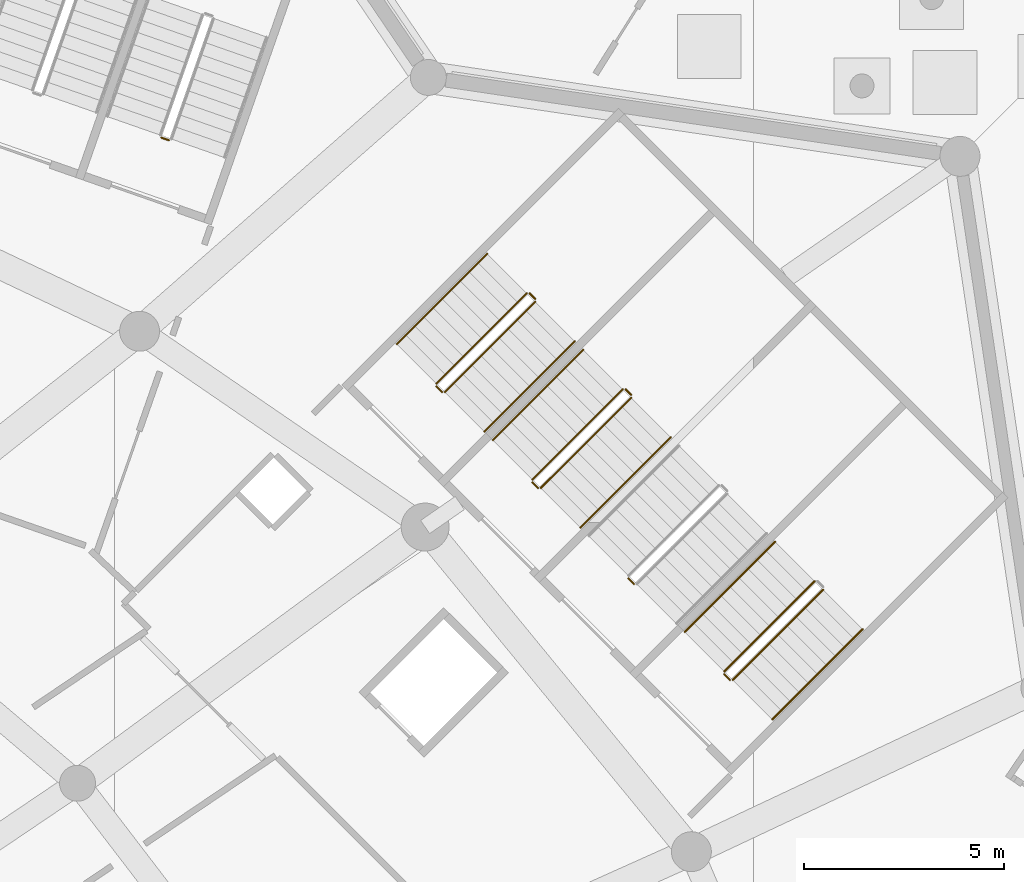
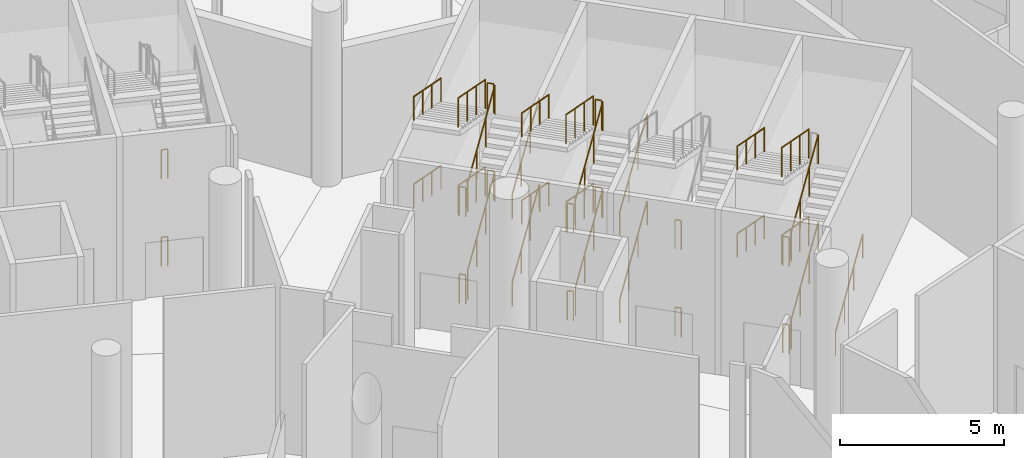
# One storey, part 252 of 255: 37 railings.
"""IFC4 building model written with IfcOpenShell, lengths in metres."""

from ifc_helpers import new_model, si_unit, direction, frame, origin, origin_2d, place, context, subcontext, project, spatial, circle, extrude, material, type_object, element, save


model = new_model("IFC4")

# Units and contexts
model_context = context("Model", 3, precision=1e-05, world=origin(), true_north=direction((0.0, 1.0)))
body_context = subcontext(model_context, "Body", "Model", "MODEL_VIEW")
ifc_project = project(units=[si_unit("LENGTHUNIT", "METRE"), si_unit("AREAUNIT", "SQUARE_METRE"), si_unit("VOLUMEUNIT", "CUBIC_METRE"), si_unit("PLANEANGLEUNIT", "RADIAN"), si_unit("MASSUNIT", "GRAM", prefix="KILO")], contexts=[model_context])

# Site, building, storey
site_placement = place(None, origin())
site = spatial("IfcSite", under=ifc_project, at=site_placement, CompositionType="ELEMENT")
building_placement = place(site_placement, origin())
building = spatial("IfcBuilding", under=site, at=building_placement, Name="Meseta Stadium", CompositionType="ELEMENT")
storey_placement = place(building_placement, origin())
storey = spatial("IfcBuildingStorey", under=building, at=storey_placement, Name="L00", CompositionType="ELEMENT", Elevation=0.0)

# Railings
ifc_material_1 = material(Name="Steel S355", Category="steel")
railing_type_1 = type_object("IfcRailingType", Name="Stair guard 1100", PredefinedType="GUARDRAIL", material=ifc_material_1)
railing_1_placement = place(storey_placement, frame((79.4814453125, 76.056884765625, 0.147705078125)))
element("IfcRailing", 1, at=railing_1_placement, inside=storey, type_object=railing_type_1, Name="ST25 L00 guard 1", PredefinedType="GUARDRAIL", context=body_context, shape_type="SweptSolid", body=[
    extrude(circle(Radius=0.02392578125, at=origin_2d()), frame((0.0, 0.0, 1.076171875), z_axis=(0.641993537882, 0.641993537882, 0.419152233246), x_axis=(-0.707106781187, 0.707106781187, 0.0)), (0.0, 0.0, 1.0), 3.5244140625),
    extrude(circle(Radius=0.02099609375, at=origin_2d()), origin(), (0.0, 0.0, 1.0), 1.052001953125),
    extrude(circle(Radius=0.02099609375, at=origin_2d()), frame((0.754150390625, 0.754150390625, 0.492431640625)), (0.0, 0.0, 1.0), 1.052001953125),
    extrude(circle(Radius=0.02099609375, at=origin_2d()), frame((1.508544921875, 1.508544921875, 0.98486328125)), (0.0, 0.0, 1.0), 1.052001953125),
    extrude(circle(Radius=0.02099609375, at=origin_2d()), frame((2.2626953125, 2.2626953125, 1.477294921875)), (0.0, 0.0, 1.0), 1.052001953125),
])
railing_2_placement = place(storey_placement, frame((81.5322265625, 78.53173828125, 1.772705078125)))
element("IfcRailing", 2, at=railing_2_placement, inside=storey, type_object=railing_type_1, Name="ST25 L00 guard 3", PredefinedType="GUARDRAIL", context=body_context, shape_type="SweptSolid", body=[
    extrude(circle(Radius=0.02392578125, at=origin_2d()), frame((0.0, 0.0, 1.076171875), z_axis=(-0.642034255088, -0.641964988257, 0.419133593434), x_axis=(0.707068634461, -0.707144925854, 0.0)), (0.0, 0.0, 1.0), 3.524658203125),
    extrude(circle(Radius=0.02099609375, at=origin_2d()), origin(), (0.0, 0.0, 1.0), 1.052001953125),
    extrude(circle(Radius=0.02099609375, at=origin_2d()), frame((-0.75439453125, -0.754150390625, 0.492431640625)), (0.0, 0.0, 1.0), 1.052001953125),
    extrude(circle(Radius=0.02099609375, at=origin_2d()), frame((-1.508544921875, -1.508544921875, 0.98486328125)), (0.0, 0.0, 1.0), 1.052001953125),
    extrude(circle(Radius=0.02099609375, at=origin_2d()), frame((-2.262939453125, -2.2626953125, 1.477294921875)), (0.0, 0.0, 1.0), 1.052001953125),
])
railing_3_placement = place(storey_placement, frame((79.410888671875, 76.056884765625, 3.25)))
element("IfcRailing", 3, at=railing_3_placement, inside=storey, type_object=railing_type_1, Name="ST25 L00 guard 4", PredefinedType="GUARDRAIL", context=body_context, shape_type="SweptSolid", body=[
    extrude(circle(Radius=0.02392578125, at=origin_2d()), frame((0.0, 0.0, 1.076171875), z_axis=(-0.707716618519, 0.706496417452, 0.0), x_axis=(-0.706496417452, -0.707716618519, 0.0)), (0.0, 0.0, 1.0), 0.2001953125),
    extrude(circle(Radius=0.02099609375, at=origin_2d()), origin(), (0.0, 0.0, 1.0), 1.052001953125),
    extrude(circle(Radius=0.02099609375, at=origin_2d()), frame((-0.1416015625, 0.141357421875, 0.0)), (0.0, 0.0, 1.0), 1.052001953125),
])
railing_4_placement = place(storey_placement, frame((79.4814453125, 76.056884765625, 3.397705078125)))
element("IfcRailing", 4, at=railing_4_placement, inside=storey, type_object=railing_type_1, Name="ST25 L00 guard 5", PredefinedType="GUARDRAIL", context=body_context, shape_type="SweptSolid", body=[
    extrude(circle(Radius=0.02392578125, at=origin_2d()), frame((0.0, 0.0, 1.076171875), z_axis=(0.641993537882, 0.641993537882, 0.419152233246), x_axis=(-0.707106781187, 0.707106781187, 0.0)), (0.0, 0.0, 1.0), 3.5244140625),
    extrude(circle(Radius=0.02099609375, at=origin_2d()), origin(), (0.0, 0.0, 1.0), 1.052001953125),
    extrude(circle(Radius=0.02099609375, at=origin_2d()), frame((0.754150390625, 0.754150390625, 0.492431640625)), (0.0, 0.0, 1.0), 1.052001953125),
    extrude(circle(Radius=0.02099609375, at=origin_2d()), frame((1.508544921875, 1.508544921875, 0.98486328125)), (0.0, 0.0, 1.0), 1.052001953125),
    extrude(circle(Radius=0.02099609375, at=origin_2d()), frame((2.2626953125, 2.2626953125, 1.477294921875)), (0.0, 0.0, 1.0), 1.052001953125),
])
railing_5_placement = place(storey_placement, frame((81.5322265625, 78.53173828125, 5.022705078125)))
element("IfcRailing", 5, at=railing_5_placement, inside=storey, type_object=railing_type_1, Name="ST25 L00 guard 7", PredefinedType="GUARDRAIL", context=body_context, shape_type="SweptSolid", body=[
    extrude(circle(Radius=0.02392578125, at=origin_2d()), frame((0.0, 0.0, 1.076171875), z_axis=(-0.642034255088, -0.641964988257, 0.419133593434), x_axis=(0.707068634461, -0.707144925854, 0.0)), (0.0, 0.0, 1.0), 3.524658203125),
    extrude(circle(Radius=0.02099609375, at=origin_2d()), origin(), (0.0, 0.0, 1.0), 1.052001953125),
    extrude(circle(Radius=0.02099609375, at=origin_2d()), frame((-0.75439453125, -0.754150390625, 0.492431640625)), (0.0, 0.0, 1.0), 1.052001953125),
    extrude(circle(Radius=0.02099609375, at=origin_2d()), frame((-1.508544921875, -1.508544921875, 0.98486328125)), (0.0, 0.0, 1.0), 1.052001953125),
    extrude(circle(Radius=0.02099609375, at=origin_2d()), frame((-2.262939453125, -2.2626953125, 1.477294921875)), (0.0, 0.0, 1.0), 1.052001953125),
])
railing_6_placement = place(storey_placement, frame((79.410888671875, 76.056884765625, 0.0)))
element("IfcRailing", 6, at=railing_6_placement, inside=storey, type_object=railing_type_1, Name="ST25 L00 guard 8", PredefinedType="GUARDRAIL", context=body_context, shape_type="SweptSolid", body=[
    extrude(circle(Radius=0.02392578125, at=origin_2d()), frame((0.0, 0.0, 1.076171875), z_axis=(-0.707716618519, 0.706496417452, 0.0), x_axis=(-0.706496417452, -0.707716618519, 0.0)), (0.0, 0.0, 1.0), 0.2001953125),
    extrude(circle(Radius=0.02099609375, at=origin_2d()), origin(), (0.0, 0.0, 1.0), 1.052001953125),
    extrude(circle(Radius=0.02099609375, at=origin_2d()), frame((-0.1416015625, 0.141357421875, 0.0)), (0.0, 0.0, 1.0), 1.052001953125),
])
for number, where, name in (
    (7, (77.006591796875, 78.4609375, 3.25), "ST26 L00 guard 4"),
    (8, (77.006591796875, 78.4609375, 0.0), "ST26 L00 guard 8"),
):
    element("IfcRailing", number, at=place(storey_placement, frame(where)), inside=storey, type_object=railing_type_1, Name=name, PredefinedType="GUARDRAIL", context=body_context, shape_type="SweptSolid", body=[
        extrude(circle(Radius=0.02392578125, at=origin_2d()), frame((0.0, 0.0, 1.076171875), z_axis=(-0.706496417452, 0.707716618519, 0.0), x_axis=(-0.707716618519, -0.706496417452, 0.0)), (0.0, 0.0, 1.0), 0.2001953125),
        extrude(circle(Radius=0.02099609375, at=origin_2d()), origin(), (0.0, 0.0, 1.0), 1.052001953125),
        extrude(circle(Radius=0.02099609375, at=origin_2d()), frame((-0.141357421875, 0.1416015625, 0.0)), (0.0, 0.0, 1.0), 1.052001953125),
    ])
railing_7_placement = place(storey_placement, frame((74.673095703125, 80.865234375, 0.147705078125)))
element("IfcRailing", 9, at=railing_7_placement, inside=storey, type_object=railing_type_1, Name="ST27 L00 guard 1", PredefinedType="GUARDRAIL", context=body_context, shape_type="SweptSolid", body=[
    extrude(circle(Radius=0.02392578125, at=origin_2d()), frame((0.0, 0.0, 1.076171875), z_axis=(0.642034255088, 0.641964988257, 0.419133593434), x_axis=(-0.707068634461, 0.707144925854, 0.0)), (0.0, 0.0, 1.0), 3.524658203125),
    extrude(circle(Radius=0.02099609375, at=origin_2d()), origin(), (0.0, 0.0, 1.0), 1.052001953125),
    extrude(circle(Radius=0.02099609375, at=origin_2d()), frame((0.75439453125, 0.754150390625, 0.492431640625)), (0.0, 0.0, 1.0), 1.052001953125),
    extrude(circle(Radius=0.02099609375, at=origin_2d()), frame((1.508544921875, 1.508544921875, 0.98486328125)), (0.0, 0.0, 1.0), 1.052001953125),
    extrude(circle(Radius=0.02099609375, at=origin_2d()), frame((2.262939453125, 2.2626953125, 1.477294921875)), (0.0, 0.0, 1.0), 1.052001953125),
])
railing_8_placement = place(storey_placement, frame((76.93603515625, 83.19873046875, 1.625)))
element("IfcRailing", 10, at=railing_8_placement, inside=storey, type_object=railing_type_1, Name="ST27 L00 guard 2", PredefinedType="GUARDRAIL", context=body_context, shape_type="SweptSolid", body=[
    extrude(circle(Radius=0.02392578125, at=origin_2d()), frame((0.0, 0.0, 1.076171875), z_axis=(-0.707716618519, 0.706496417452, 0.0), x_axis=(-0.706496417452, -0.707716618519, 0.0)), (0.0, 0.0, 1.0), 0.2001953125),
    extrude(circle(Radius=0.02099609375, at=origin_2d()), origin(), (0.0, 0.0, 1.0), 1.052001953125),
    extrude(circle(Radius=0.02099609375, at=origin_2d()), frame((-0.1416015625, 0.141357421875, 0.0)), (0.0, 0.0, 1.0), 1.052001953125),
])
railing_9_placement = place(storey_placement, frame((76.723876953125, 83.340087890625, 1.772705078125)))
element("IfcRailing", 11, at=railing_9_placement, inside=storey, type_object=railing_type_1, Name="ST27 L00 guard 3", PredefinedType="GUARDRAIL", context=body_context, shape_type="SweptSolid", body=[
    extrude(circle(Radius=0.02392578125, at=origin_2d()), frame((0.0, 0.0, 1.076171875), z_axis=(-0.642034255088, -0.641964988257, 0.419133593434), x_axis=(0.707068634461, -0.707144925854, 0.0)), (0.0, 0.0, 1.0), 3.524658203125),
    extrude(circle(Radius=0.02099609375, at=origin_2d()), origin(), (0.0, 0.0, 1.0), 1.052001953125),
    extrude(circle(Radius=0.02099609375, at=origin_2d()), frame((-0.75439453125, -0.754150390625, 0.492431640625)), (0.0, 0.0, 1.0), 1.052001953125),
    extrude(circle(Radius=0.02099609375, at=origin_2d()), frame((-1.508544921875, -1.508544921875, 0.98486328125)), (0.0, 0.0, 1.0), 1.052001953125),
    extrude(circle(Radius=0.02099609375, at=origin_2d()), frame((-2.262939453125, -2.2626953125, 1.477294921875)), (0.0, 0.0, 1.0), 1.052001953125),
])
railing_10_placement = place(storey_placement, frame((74.6025390625, 80.865234375, 3.25)))
element("IfcRailing", 12, at=railing_10_placement, inside=storey, type_object=railing_type_1, Name="ST27 L00 guard 4", PredefinedType="GUARDRAIL", context=body_context, shape_type="SweptSolid", body=[
    extrude(circle(Radius=0.02392578125, at=origin_2d()), frame((0.0, 0.0, 1.076171875), z_axis=(-0.707716618519, 0.706496417452, 0.0), x_axis=(-0.706496417452, -0.707716618519, 0.0)), (0.0, 0.0, 1.0), 0.2001953125),
    extrude(circle(Radius=0.02099609375, at=origin_2d()), origin(), (0.0, 0.0, 1.0), 1.052001953125),
    extrude(circle(Radius=0.02099609375, at=origin_2d()), frame((-0.1416015625, 0.141357421875, 0.0)), (0.0, 0.0, 1.0), 1.052001953125),
])
railing_11_placement = place(storey_placement, frame((74.673095703125, 80.865234375, 3.397705078125)))
element("IfcRailing", 13, at=railing_11_placement, inside=storey, type_object=railing_type_1, Name="ST27 L00 guard 5", PredefinedType="GUARDRAIL", context=body_context, shape_type="SweptSolid", body=[
    extrude(circle(Radius=0.02392578125, at=origin_2d()), frame((0.0, 0.0, 1.076171875), z_axis=(0.642034255088, 0.641964988257, 0.419133593434), x_axis=(-0.707068634461, 0.707144925854, 0.0)), (0.0, 0.0, 1.0), 3.524658203125),
    extrude(circle(Radius=0.02099609375, at=origin_2d()), origin(), (0.0, 0.0, 1.0), 1.052001953125),
    extrude(circle(Radius=0.02099609375, at=origin_2d()), frame((0.75439453125, 0.754150390625, 0.492431640625)), (0.0, 0.0, 1.0), 1.052001953125),
    extrude(circle(Radius=0.02099609375, at=origin_2d()), frame((1.508544921875, 1.508544921875, 0.98486328125)), (0.0, 0.0, 1.0), 1.052001953125),
    extrude(circle(Radius=0.02099609375, at=origin_2d()), frame((2.262939453125, 2.2626953125, 1.477294921875)), (0.0, 0.0, 1.0), 1.052001953125),
])
railing_12_placement = place(storey_placement, frame((76.93603515625, 83.19873046875, 4.875)))
element("IfcRailing", 14, at=railing_12_placement, inside=storey, type_object=railing_type_1, Name="ST27 L00 guard 6", PredefinedType="GUARDRAIL", context=body_context, shape_type="SweptSolid", body=[
    extrude(circle(Radius=0.02392578125, at=origin_2d()), frame((0.0, 0.0, 1.076171875), z_axis=(-0.707716618519, 0.706496417452, 0.0), x_axis=(-0.706496417452, -0.707716618519, 0.0)), (0.0, 0.0, 1.0), 0.2001953125),
    extrude(circle(Radius=0.02099609375, at=origin_2d()), origin(), (0.0, 0.0, 1.0), 1.052001953125),
    extrude(circle(Radius=0.02099609375, at=origin_2d()), frame((-0.1416015625, 0.141357421875, 0.0)), (0.0, 0.0, 1.0), 1.052001953125),
])
railing_13_placement = place(storey_placement, frame((76.723876953125, 83.340087890625, 5.022705078125)))
element("IfcRailing", 15, at=railing_13_placement, inside=storey, type_object=railing_type_1, Name="ST27 L00 guard 7", PredefinedType="GUARDRAIL", context=body_context, shape_type="SweptSolid", body=[
    extrude(circle(Radius=0.02392578125, at=origin_2d()), frame((0.0, 0.0, 1.076171875), z_axis=(-0.642034255088, -0.641964988257, 0.419133593434), x_axis=(0.707068634461, -0.707144925854, 0.0)), (0.0, 0.0, 1.0), 3.524658203125),
    extrude(circle(Radius=0.02099609375, at=origin_2d()), origin(), (0.0, 0.0, 1.0), 1.052001953125),
    extrude(circle(Radius=0.02099609375, at=origin_2d()), frame((-0.75439453125, -0.754150390625, 0.492431640625)), (0.0, 0.0, 1.0), 1.052001953125),
    extrude(circle(Radius=0.02099609375, at=origin_2d()), frame((-1.508544921875, -1.508544921875, 0.98486328125)), (0.0, 0.0, 1.0), 1.052001953125),
    extrude(circle(Radius=0.02099609375, at=origin_2d()), frame((-2.262939453125, -2.2626953125, 1.477294921875)), (0.0, 0.0, 1.0), 1.052001953125),
])
railing_14_placement = place(storey_placement, frame((74.6025390625, 80.865234375, 0.0)))
element("IfcRailing", 16, at=railing_14_placement, inside=storey, type_object=railing_type_1, Name="ST27 L00 guard 8", PredefinedType="GUARDRAIL", context=body_context, shape_type="SweptSolid", body=[
    extrude(circle(Radius=0.02392578125, at=origin_2d()), frame((0.0, 0.0, 1.076171875), z_axis=(-0.707716618519, 0.706496417452, 0.0), x_axis=(-0.706496417452, -0.707716618519, 0.0)), (0.0, 0.0, 1.0), 0.2001953125),
    extrude(circle(Radius=0.02099609375, at=origin_2d()), origin(), (0.0, 0.0, 1.0), 1.052001953125),
    extrude(circle(Radius=0.02099609375, at=origin_2d()), frame((-0.1416015625, 0.141357421875, 0.0)), (0.0, 0.0, 1.0), 1.052001953125),
])
railing_15_placement = place(storey_placement, frame((72.26904296875, 83.269287109375, 0.147705078125)))
element("IfcRailing", 17, at=railing_15_placement, inside=storey, type_object=railing_type_1, Name="ST28 L00 guard 1", PredefinedType="GUARDRAIL", context=body_context, shape_type="SweptSolid", body=[
    extrude(circle(Radius=0.02392578125, at=origin_2d()), frame((0.0, 0.0, 1.076171875), z_axis=(0.641964988257, 0.642034255088, 0.419133593434), x_axis=(-0.707144925854, 0.707068634461, 0.0)), (0.0, 0.0, 1.0), 3.524658203125),
    extrude(circle(Radius=0.02099609375, at=origin_2d()), origin(), (0.0, 0.0, 1.0), 1.052001953125),
    extrude(circle(Radius=0.02099609375, at=origin_2d()), frame((0.754150390625, 0.75439453125, 0.492431640625)), (0.0, 0.0, 1.0), 1.052001953125),
    extrude(circle(Radius=0.02099609375, at=origin_2d()), frame((1.508544921875, 1.508544921875, 0.98486328125)), (0.0, 0.0, 1.0), 1.052001953125),
    extrude(circle(Radius=0.02099609375, at=origin_2d()), frame((2.2626953125, 2.262939453125, 1.477294921875)), (0.0, 0.0, 1.0), 1.052001953125),
])
railing_16_placement = place(storey_placement, frame((74.53173828125, 85.602783203125, 1.625)))
element("IfcRailing", 18, at=railing_16_placement, inside=storey, type_object=railing_type_1, Name="ST28 L00 guard 2", PredefinedType="GUARDRAIL", context=body_context, shape_type="SweptSolid", body=[
    extrude(circle(Radius=0.02392578125, at=origin_2d()), frame((0.0, 0.0, 1.076171875), z_axis=(-0.707106781187, 0.707106781187, 0.0), x_axis=(-0.707106781187, -0.707106781187, 0.0)), (0.0, 0.0, 1.0), 0.199951171875),
    extrude(circle(Radius=0.02099609375, at=origin_2d()), origin(), (0.0, 0.0, 1.0), 1.052001953125),
    extrude(circle(Radius=0.02099609375, at=origin_2d()), frame((-0.141357421875, 0.141357421875, 0.0)), (0.0, 0.0, 1.0), 1.052001953125),
])
railing_17_placement = place(storey_placement, frame((74.319580078125, 85.744140625, 1.772705078125)))
element("IfcRailing", 19, at=railing_17_placement, inside=storey, type_object=railing_type_1, Name="ST28 L00 guard 3", PredefinedType="GUARDRAIL", context=body_context, shape_type="SweptSolid", body=[
    extrude(circle(Radius=0.02392578125, at=origin_2d()), frame((0.0, 0.0, 1.076171875), z_axis=(-0.641993537882, -0.641993537882, 0.419152233246), x_axis=(0.707106781187, -0.707106781187, 0.0)), (0.0, 0.0, 1.0), 3.5244140625),
    extrude(circle(Radius=0.02099609375, at=origin_2d()), origin(), (0.0, 0.0, 1.0), 1.052001953125),
    extrude(circle(Radius=0.02099609375, at=origin_2d()), frame((-0.754150390625, -0.754150390625, 0.492431640625)), (0.0, 0.0, 1.0), 1.052001953125),
    extrude(circle(Radius=0.02099609375, at=origin_2d()), frame((-1.508544921875, -1.508544921875, 0.98486328125)), (0.0, 0.0, 1.0), 1.052001953125),
    extrude(circle(Radius=0.02099609375, at=origin_2d()), frame((-2.2626953125, -2.2626953125, 1.477294921875)), (0.0, 0.0, 1.0), 1.052001953125),
])
railing_18_placement = place(storey_placement, frame((72.1982421875, 83.269287109375, 3.25)))
element("IfcRailing", 20, at=railing_18_placement, inside=storey, type_object=railing_type_1, Name="ST28 L00 guard 4", PredefinedType="GUARDRAIL", context=body_context, shape_type="SweptSolid", body=[
    extrude(circle(Radius=0.02392578125, at=origin_2d()), frame((0.0, 0.0, 1.076171875), z_axis=(-0.706496417452, 0.707716618519, 0.0), x_axis=(-0.707716618519, -0.706496417452, 0.0)), (0.0, 0.0, 1.0), 0.2001953125),
    extrude(circle(Radius=0.02099609375, at=origin_2d()), origin(), (0.0, 0.0, 1.0), 1.052001953125),
    extrude(circle(Radius=0.02099609375, at=origin_2d()), frame((-0.141357421875, 0.1416015625, 0.0)), (0.0, 0.0, 1.0), 1.052001953125),
])
railing_19_placement = place(storey_placement, frame((72.26904296875, 83.269287109375, 3.397705078125)))
element("IfcRailing", 21, at=railing_19_placement, inside=storey, type_object=railing_type_1, Name="ST28 L00 guard 5", PredefinedType="GUARDRAIL", context=body_context, shape_type="SweptSolid", body=[
    extrude(circle(Radius=0.02392578125, at=origin_2d()), frame((0.0, 0.0, 1.076171875), z_axis=(0.641964988257, 0.642034255088, 0.419133593434), x_axis=(-0.707144925854, 0.707068634461, 0.0)), (0.0, 0.0, 1.0), 3.524658203125),
    extrude(circle(Radius=0.02099609375, at=origin_2d()), origin(), (0.0, 0.0, 1.0), 1.052001953125),
    extrude(circle(Radius=0.02099609375, at=origin_2d()), frame((0.754150390625, 0.75439453125, 0.492431640625)), (0.0, 0.0, 1.0), 1.052001953125),
    extrude(circle(Radius=0.02099609375, at=origin_2d()), frame((1.508544921875, 1.508544921875, 0.98486328125)), (0.0, 0.0, 1.0), 1.052001953125),
    extrude(circle(Radius=0.02099609375, at=origin_2d()), frame((2.2626953125, 2.262939453125, 1.477294921875)), (0.0, 0.0, 1.0), 1.052001953125),
])
railing_20_placement = place(storey_placement, frame((74.53173828125, 85.602783203125, 4.875)))
element("IfcRailing", 22, at=railing_20_placement, inside=storey, type_object=railing_type_1, Name="ST28 L00 guard 6", PredefinedType="GUARDRAIL", context=body_context, shape_type="SweptSolid", body=[
    extrude(circle(Radius=0.02392578125, at=origin_2d()), frame((0.0, 0.0, 1.076171875), z_axis=(-0.707106781187, 0.707106781187, 0.0), x_axis=(-0.707106781187, -0.707106781187, 0.0)), (0.0, 0.0, 1.0), 0.199951171875),
    extrude(circle(Radius=0.02099609375, at=origin_2d()), origin(), (0.0, 0.0, 1.0), 1.052001953125),
    extrude(circle(Radius=0.02099609375, at=origin_2d()), frame((-0.141357421875, 0.141357421875, 0.0)), (0.0, 0.0, 1.0), 1.052001953125),
])
railing_21_placement = place(storey_placement, frame((74.319580078125, 85.744140625, 5.022705078125)))
element("IfcRailing", 23, at=railing_21_placement, inside=storey, type_object=railing_type_1, Name="ST28 L00 guard 7", PredefinedType="GUARDRAIL", context=body_context, shape_type="SweptSolid", body=[
    extrude(circle(Radius=0.02392578125, at=origin_2d()), frame((0.0, 0.0, 1.076171875), z_axis=(-0.641993537882, -0.641993537882, 0.419152233246), x_axis=(0.707106781187, -0.707106781187, 0.0)), (0.0, 0.0, 1.0), 3.5244140625),
    extrude(circle(Radius=0.02099609375, at=origin_2d()), origin(), (0.0, 0.0, 1.0), 1.052001953125),
    extrude(circle(Radius=0.02099609375, at=origin_2d()), frame((-0.754150390625, -0.754150390625, 0.492431640625)), (0.0, 0.0, 1.0), 1.052001953125),
    extrude(circle(Radius=0.02099609375, at=origin_2d()), frame((-1.508544921875, -1.508544921875, 0.98486328125)), (0.0, 0.0, 1.0), 1.052001953125),
    extrude(circle(Radius=0.02099609375, at=origin_2d()), frame((-2.2626953125, -2.2626953125, 1.477294921875)), (0.0, 0.0, 1.0), 1.052001953125),
])
railing_22_placement = place(storey_placement, frame((72.1982421875, 83.269287109375, 0.0)))
element("IfcRailing", 24, at=railing_22_placement, inside=storey, type_object=railing_type_1, Name="ST28 L00 guard 8", PredefinedType="GUARDRAIL", context=body_context, shape_type="SweptSolid", body=[
    extrude(circle(Radius=0.02392578125, at=origin_2d()), frame((0.0, 0.0, 1.076171875), z_axis=(-0.706496417452, 0.707716618519, 0.0), x_axis=(-0.707716618519, -0.706496417452, 0.0)), (0.0, 0.0, 1.0), 0.2001953125),
    extrude(circle(Radius=0.02099609375, at=origin_2d()), origin(), (0.0, 0.0, 1.0), 1.052001953125),
    extrude(circle(Radius=0.02099609375, at=origin_2d()), frame((-0.141357421875, 0.1416015625, 0.0)), (0.0, 0.0, 1.0), 1.052001953125),
])
for number, where, name in (
    (25, (65.35791015625, 89.577392578125, 3.25), "ST29 L00 guard 4"),
    (26, (65.35791015625, 89.577392578125, 0.0), "ST29 L00 guard 8"),
):
    element("IfcRailing", number, at=place(storey_placement, frame(where)), inside=storey, type_object=railing_type_1, Name=name, PredefinedType="GUARDRAIL", context=body_context, shape_type="SweptSolid", body=[
        extrude(circle(Radius=0.02392578125, at=origin_2d()), frame((0.0, 0.0, 1.076171875), z_axis=(-0.943686935281, 0.330839792317, 0.0), x_axis=(-0.330839792317, -0.943686935281, 0.0)), (0.0, 0.0, 1.0), 0.199951171875),
        extrude(circle(Radius=0.02099609375, at=origin_2d()), origin(), (0.0, 0.0, 1.0), 1.052001953125),
        extrude(circle(Radius=0.02099609375, at=origin_2d()), frame((-0.188720703125, 0.066162109375, 0.0)), (0.0, 0.0, 1.0), 1.052001953125),
    ])
ifc_material_2 = material(Name="Steel S355", Category="steel")
railing_type_2 = type_object("IfcRailingType", Name="Stair handrail 900", PredefinedType="HANDRAIL", material=ifc_material_2)
railing_23_placement = place(storey_placement, frame((80.471435546875, 75.06689453125, 0.147705078125)))
element("IfcRailing", 27, at=railing_23_placement, inside=storey, type_object=railing_type_2, Name="ST25 L00 handrail 1", PredefinedType="HANDRAIL", context=body_context, shape_type="SweptSolid", body=[
    extrude(circle(Radius=0.02392578125, at=origin_2d()), frame((0.0, 0.0, 0.8759765625), z_axis=(0.641993537882, 0.641993537882, 0.419152233246), x_axis=(-0.707106781187, 0.707106781187, 0.0)), (0.0, 0.0, 1.0), 3.5244140625),
    extrude(circle(Radius=0.02099609375, at=origin_2d()), origin(), (0.0, 0.0, 1.0), 0.851806640625),
    extrude(circle(Radius=0.02099609375, at=origin_2d()), frame((0.754150390625, 0.754150390625, 0.492431640625)), (0.0, 0.0, 1.0), 0.851806640625),
    extrude(circle(Radius=0.02099609375, at=origin_2d()), frame((1.508544921875, 1.508544921875, 0.98486328125)), (0.0, 0.0, 1.0), 0.851806640625),
    extrude(circle(Radius=0.02099609375, at=origin_2d()), frame((2.2626953125, 2.2626953125, 1.477294921875)), (0.0, 0.0, 1.0), 0.851806640625),
])
for number, where, name in (
    (28, (80.542236328125, 79.521728515625, 1.772705078125), "ST25 L00 handrail 2"),
    (29, (80.542236328125, 79.521728515625, 5.022705078125), "ST25 L00 handrail 4"),
):
    element("IfcRailing", number, at=place(storey_placement, frame(where)), inside=storey, type_object=railing_type_2, Name=name, PredefinedType="HANDRAIL", context=body_context, shape_type="SweptSolid", body=[
        extrude(circle(Radius=0.02392578125, at=origin_2d()), frame((0.0, 0.0, 0.8759765625), z_axis=(-0.641993537882, -0.641993537882, 0.419152233246), x_axis=(0.707106781187, -0.707106781187, 0.0)), (0.0, 0.0, 1.0), 3.5244140625),
        extrude(circle(Radius=0.02099609375, at=origin_2d()), origin(), (0.0, 0.0, 1.0), 0.851806640625),
        extrude(circle(Radius=0.02099609375, at=origin_2d()), frame((-0.754150390625, -0.754150390625, 0.492431640625)), (0.0, 0.0, 1.0), 0.851806640625),
        extrude(circle(Radius=0.02099609375, at=origin_2d()), frame((-1.508544921875, -1.508544921875, 0.98486328125)), (0.0, 0.0, 1.0), 0.851806640625),
        extrude(circle(Radius=0.02099609375, at=origin_2d()), frame((-2.2626953125, -2.2626953125, 1.477294921875)), (0.0, 0.0, 1.0), 0.851806640625),
    ])
railing_24_placement = place(storey_placement, frame((75.6630859375, 79.875244140625, 0.147705078125)))
element("IfcRailing", 30, at=railing_24_placement, inside=storey, type_object=railing_type_2, Name="ST27 L00 handrail 1", PredefinedType="HANDRAIL", context=body_context, shape_type="SweptSolid", body=[
    extrude(circle(Radius=0.02392578125, at=origin_2d()), frame((0.0, 0.0, 0.8759765625), z_axis=(0.641993537882, 0.641993537882, 0.419152233246), x_axis=(-0.707106781187, 0.707106781187, 0.0)), (0.0, 0.0, 1.0), 3.5244140625),
    extrude(circle(Radius=0.02099609375, at=origin_2d()), origin(), (0.0, 0.0, 1.0), 0.851806640625),
    extrude(circle(Radius=0.02099609375, at=origin_2d()), frame((0.754150390625, 0.754150390625, 0.492431640625)), (0.0, 0.0, 1.0), 0.851806640625),
    extrude(circle(Radius=0.02099609375, at=origin_2d()), frame((1.508544921875, 1.508544921875, 0.98486328125)), (0.0, 0.0, 1.0), 0.851806640625),
    extrude(circle(Radius=0.02099609375, at=origin_2d()), frame((2.2626953125, 2.2626953125, 1.477294921875)), (0.0, 0.0, 1.0), 0.851806640625),
])
railing_25_placement = place(storey_placement, frame((75.73388671875, 84.330078125, 1.772705078125)))
element("IfcRailing", 31, at=railing_25_placement, inside=storey, type_object=railing_type_2, Name="ST27 L00 handrail 2", PredefinedType="HANDRAIL", context=body_context, shape_type="SweptSolid", body=[
    extrude(circle(Radius=0.02392578125, at=origin_2d()), frame((0.0, 0.0, 0.8759765625), z_axis=(-0.641993537882, -0.641993537882, 0.419152233246), x_axis=(0.707106781187, -0.707106781187, 0.0)), (0.0, 0.0, 1.0), 3.5244140625),
    extrude(circle(Radius=0.02099609375, at=origin_2d()), origin(), (0.0, 0.0, 1.0), 0.851806640625),
    extrude(circle(Radius=0.02099609375, at=origin_2d()), frame((-0.754150390625, -0.754150390625, 0.492431640625)), (0.0, 0.0, 1.0), 0.851806640625),
    extrude(circle(Radius=0.02099609375, at=origin_2d()), frame((-1.508544921875, -1.508544921875, 0.98486328125)), (0.0, 0.0, 1.0), 0.851806640625),
    extrude(circle(Radius=0.02099609375, at=origin_2d()), frame((-2.2626953125, -2.2626953125, 1.477294921875)), (0.0, 0.0, 1.0), 0.851806640625),
])
railing_26_placement = place(storey_placement, frame((75.6630859375, 79.875244140625, 3.397705078125)))
element("IfcRailing", 32, at=railing_26_placement, inside=storey, type_object=railing_type_2, Name="ST27 L00 handrail 3", PredefinedType="HANDRAIL", context=body_context, shape_type="SweptSolid", body=[
    extrude(circle(Radius=0.02392578125, at=origin_2d()), frame((0.0, 0.0, 0.8759765625), z_axis=(0.641993537882, 0.641993537882, 0.419152233246), x_axis=(-0.707106781187, 0.707106781187, 0.0)), (0.0, 0.0, 1.0), 3.5244140625),
    extrude(circle(Radius=0.02099609375, at=origin_2d()), origin(), (0.0, 0.0, 1.0), 0.851806640625),
    extrude(circle(Radius=0.02099609375, at=origin_2d()), frame((0.754150390625, 0.754150390625, 0.492431640625)), (0.0, 0.0, 1.0), 0.851806640625),
    extrude(circle(Radius=0.02099609375, at=origin_2d()), frame((1.508544921875, 1.508544921875, 0.98486328125)), (0.0, 0.0, 1.0), 0.851806640625),
    extrude(circle(Radius=0.02099609375, at=origin_2d()), frame((2.2626953125, 2.2626953125, 1.477294921875)), (0.0, 0.0, 1.0), 0.851806640625),
])
railing_27_placement = place(storey_placement, frame((75.73388671875, 84.330078125, 5.022705078125)))
element("IfcRailing", 33, at=railing_27_placement, inside=storey, type_object=railing_type_2, Name="ST27 L00 handrail 4", PredefinedType="HANDRAIL", context=body_context, shape_type="SweptSolid", body=[
    extrude(circle(Radius=0.02392578125, at=origin_2d()), frame((0.0, 0.0, 0.8759765625), z_axis=(-0.641993537882, -0.641993537882, 0.419152233246), x_axis=(0.707106781187, -0.707106781187, 0.0)), (0.0, 0.0, 1.0), 3.5244140625),
    extrude(circle(Radius=0.02099609375, at=origin_2d()), origin(), (0.0, 0.0, 1.0), 0.851806640625),
    extrude(circle(Radius=0.02099609375, at=origin_2d()), frame((-0.754150390625, -0.754150390625, 0.492431640625)), (0.0, 0.0, 1.0), 0.851806640625),
    extrude(circle(Radius=0.02099609375, at=origin_2d()), frame((-1.508544921875, -1.508544921875, 0.98486328125)), (0.0, 0.0, 1.0), 0.851806640625),
    extrude(circle(Radius=0.02099609375, at=origin_2d()), frame((-2.2626953125, -2.2626953125, 1.477294921875)), (0.0, 0.0, 1.0), 0.851806640625),
])
railing_28_placement = place(storey_placement, frame((73.259033203125, 82.279541015625, 0.147705078125)))
element("IfcRailing", 34, at=railing_28_placement, inside=storey, type_object=railing_type_2, Name="ST28 L00 handrail 1", PredefinedType="HANDRAIL", context=body_context, shape_type="SweptSolid", body=[
    extrude(circle(Radius=0.02392578125, at=origin_2d()), frame((0.0, 0.0, 0.8759765625), z_axis=(0.641993537882, 0.641993537882, 0.419152233246), x_axis=(-0.707106781187, 0.707106781187, 0.0)), (0.0, 0.0, 1.0), 3.5244140625),
    extrude(circle(Radius=0.02099609375, at=origin_2d()), origin(), (0.0, 0.0, 1.0), 0.851806640625),
    extrude(circle(Radius=0.02099609375, at=origin_2d()), frame((0.754150390625, 0.754150390625, 0.492431640625)), (0.0, 0.0, 1.0), 0.851806640625),
    extrude(circle(Radius=0.02099609375, at=origin_2d()), frame((1.508544921875, 1.508544921875, 0.98486328125)), (0.0, 0.0, 1.0), 0.851806640625),
    extrude(circle(Radius=0.02099609375, at=origin_2d()), frame((2.2626953125, 2.2626953125, 1.477294921875)), (0.0, 0.0, 1.0), 0.851806640625),
])
railing_29_placement = place(storey_placement, frame((73.32958984375, 86.734130859375, 1.772705078125)))
element("IfcRailing", 35, at=railing_29_placement, inside=storey, type_object=railing_type_2, Name="ST28 L00 handrail 2", PredefinedType="HANDRAIL", context=body_context, shape_type="SweptSolid", body=[
    extrude(circle(Radius=0.02392578125, at=origin_2d()), frame((0.0, 0.0, 0.8759765625), z_axis=(-0.641993537882, -0.641993537882, 0.419152233246), x_axis=(0.707106781187, -0.707106781187, 0.0)), (0.0, 0.0, 1.0), 3.5244140625),
    extrude(circle(Radius=0.02099609375, at=origin_2d()), origin(), (0.0, 0.0, 1.0), 0.851806640625),
    extrude(circle(Radius=0.02099609375, at=origin_2d()), frame((-0.754150390625, -0.754150390625, 0.492431640625)), (0.0, 0.0, 1.0), 0.851806640625),
    extrude(circle(Radius=0.02099609375, at=origin_2d()), frame((-1.508544921875, -1.508544921875, 0.98486328125)), (0.0, 0.0, 1.0), 0.851806640625),
    extrude(circle(Radius=0.02099609375, at=origin_2d()), frame((-2.2626953125, -2.2626953125, 1.477294921875)), (0.0, 0.0, 1.0), 0.851806640625),
])
railing_30_placement = place(storey_placement, frame((73.259033203125, 82.279541015625, 3.397705078125)))
element("IfcRailing", 36, at=railing_30_placement, inside=storey, type_object=railing_type_2, Name="ST28 L00 handrail 3", PredefinedType="HANDRAIL", context=body_context, shape_type="SweptSolid", body=[
    extrude(circle(Radius=0.02392578125, at=origin_2d()), frame((0.0, 0.0, 0.8759765625), z_axis=(0.641993537882, 0.641993537882, 0.419152233246), x_axis=(-0.707106781187, 0.707106781187, 0.0)), (0.0, 0.0, 1.0), 3.5244140625),
    extrude(circle(Radius=0.02099609375, at=origin_2d()), origin(), (0.0, 0.0, 1.0), 0.851806640625),
    extrude(circle(Radius=0.02099609375, at=origin_2d()), frame((0.754150390625, 0.754150390625, 0.492431640625)), (0.0, 0.0, 1.0), 0.851806640625),
    extrude(circle(Radius=0.02099609375, at=origin_2d()), frame((1.508544921875, 1.508544921875, 0.98486328125)), (0.0, 0.0, 1.0), 0.851806640625),
    extrude(circle(Radius=0.02099609375, at=origin_2d()), frame((2.2626953125, 2.2626953125, 1.477294921875)), (0.0, 0.0, 1.0), 0.851806640625),
])
railing_31_placement = place(storey_placement, frame((73.32958984375, 86.734130859375, 5.022705078125)))
element("IfcRailing", 37, at=railing_31_placement, inside=storey, type_object=railing_type_2, Name="ST28 L00 handrail 4", PredefinedType="HANDRAIL", context=body_context, shape_type="SweptSolid", body=[
    extrude(circle(Radius=0.02392578125, at=origin_2d()), frame((0.0, 0.0, 0.8759765625), z_axis=(-0.641993537882, -0.641993537882, 0.419152233246), x_axis=(0.707106781187, -0.707106781187, 0.0)), (0.0, 0.0, 1.0), 3.5244140625),
    extrude(circle(Radius=0.02099609375, at=origin_2d()), origin(), (0.0, 0.0, 1.0), 0.851806640625),
    extrude(circle(Radius=0.02099609375, at=origin_2d()), frame((-0.754150390625, -0.754150390625, 0.492431640625)), (0.0, 0.0, 1.0), 0.851806640625),
    extrude(circle(Radius=0.02099609375, at=origin_2d()), frame((-1.508544921875, -1.508544921875, 0.98486328125)), (0.0, 0.0, 1.0), 0.851806640625),
    extrude(circle(Radius=0.02099609375, at=origin_2d()), frame((-2.2626953125, -2.2626953125, 1.477294921875)), (0.0, 0.0, 1.0), 0.851806640625),
])

save(model, "model.ifc")
